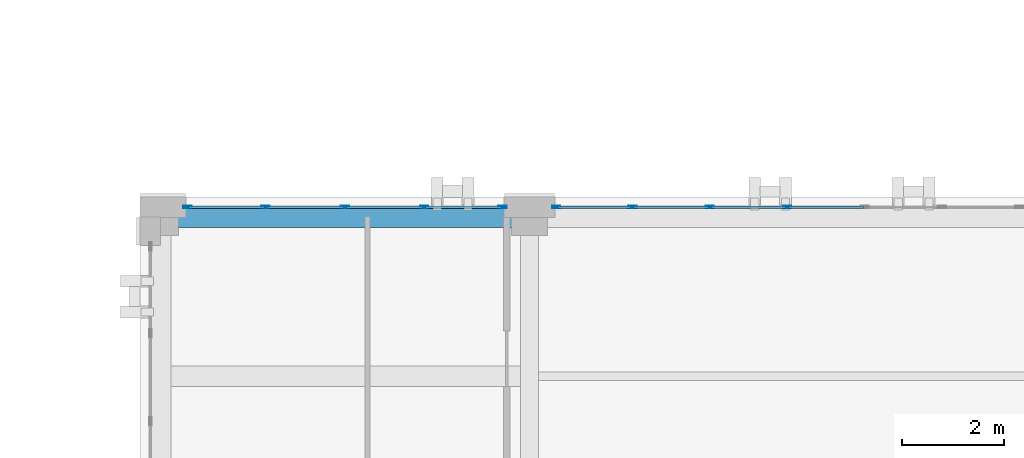
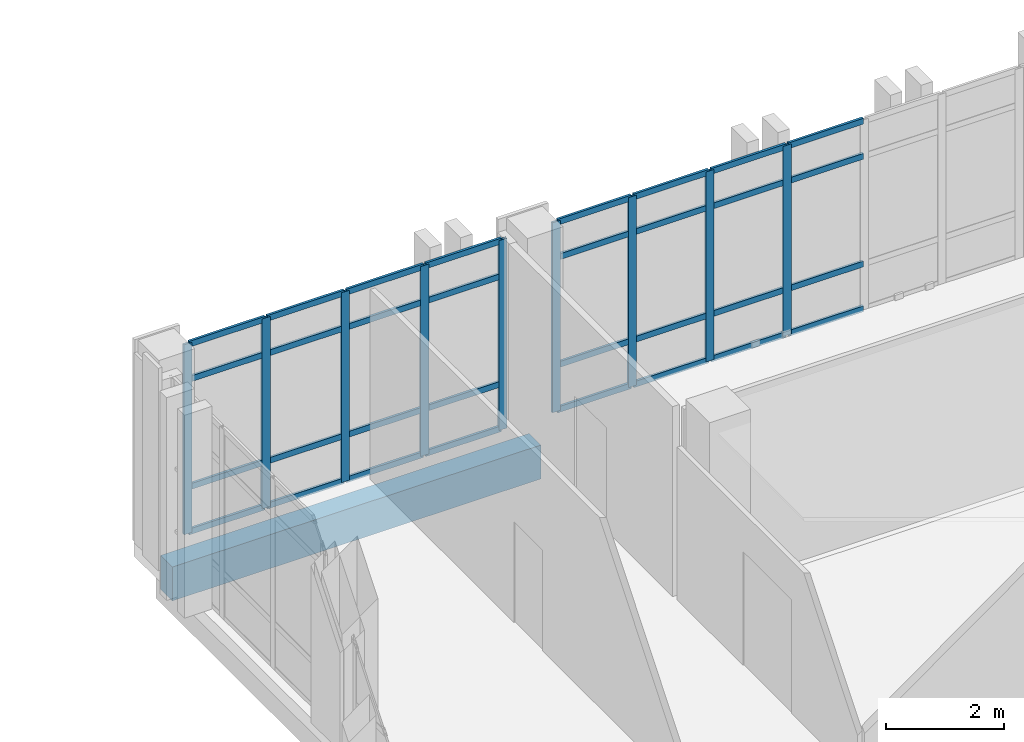
# One storey, part 102 of 158: 41 members, 1 beam, 2 elements without a shape of their own.
"""IFC4 building model written with IfcOpenShell, lengths in metres."""

from ifc_helpers import new_model, si_unit, direction, frame, origin, origin_2d, place, context, subcontext, project, spatial, rectangle, hollow_rectangle, extrude, material, layer, layer_set, material_profile, profile_set, type_object, element, aggregate, save


model = new_model("IFC4")

# Units and contexts
model_context = context("Model", 3, precision=1e-05, world=origin(), true_north=direction((0.0, 1.0)))
body_context = subcontext(model_context, "Body", "Model", "MODEL_VIEW")
ifc_project = project(units=[si_unit("LENGTHUNIT", "METRE"), si_unit("AREAUNIT", "SQUARE_METRE"), si_unit("VOLUMEUNIT", "CUBIC_METRE"), si_unit("PLANEANGLEUNIT", "RADIAN"), si_unit("MASSUNIT", "GRAM", prefix="KILO")], contexts=[model_context])

# Site, building, storey
site_placement = place(None, origin())
site = spatial("IfcSite", under=ifc_project, at=site_placement, CompositionType="ELEMENT")
building_placement = place(site_placement, origin())
building = spatial("IfcBuilding", under=site, at=building_placement, Name="Qalavern Law Courts", CompositionType="ELEMENT")
storey_placement = place(building_placement, frame((0.0, 0.0, 18.60009765625)))
storey = spatial("IfcBuildingStorey", under=building, at=storey_placement, Name="L04", CompositionType="ELEMENT", Elevation=18.60009765625)

# Curtain wall, members
ifc_material_1 = material(Name="Anodised aluminium and insulated glazing", Category="aluminium")
ifc_layer = layer(ifc_material_1, 0.159912109375)
ifc_layer_set = layer_set([ifc_layer], Name="Anodised aluminium and insulated glazing")
curtain_wall_type = type_object("IfcCurtainWallType", Name="ENV-CW-CHAMB", PredefinedType="USERDEFINED", material=ifc_layer_set)
curtain_wall_1_placement = place(storey_placement, origin())
curtain_wall_1 = element("IfcCurtainWall", 1, at=curtain_wall_1_placement, inside=storey, type_object=curtain_wall_type, Name="V4 unitised curtain wall L04 north 1", ObjectType="UNITISED CURTAIN WALL", PredefinedType="USERDEFINED")
ifc_material_2 = material(Name="Anodised aluminium", Category="aluminium")
ifc_material_profile_1 = material_profile(ifc_material_2, hollow_rectangle(XDim=0.048095703125, YDim=0.159912109375, WallThickness=0.00390625, at=origin_2d()), Name="ALU MULLION 48x160")
ifc_profile_set_1 = profile_set([ifc_material_profile_1], Name="Anodised aluminium")
member_type_1 = type_object("IfcMemberType", Name="ENV-CWM-48x160", PredefinedType="MULLION", material=ifc_profile_set_1)
member_1_placement = place(storey_placement, frame((96.833251953125, 85.60009765625, 0.0), z_axis=(0.0, 0.0, 1.0), x_axis=(0.0, -1.0, 0.0)))
member_1 = element("IfcMember", 2, at=member_1_placement, type_object=member_type_1, Name="CW-04 mullion 7", PredefinedType="MULLION", context=body_context, shape_type="SweptSolid", body=[
    extrude(hollow_rectangle(XDim=0.048095703125, YDim=0.159912109375, WallThickness=0.00390625, at=origin_2d()), origin(), (0.0, 0.0, 1.0), 3.9248046875),
])
member_2_placement = place(storey_placement, frame((95.322265625, 85.60009765625, 0.0), z_axis=(0.0, 0.0, 1.0), x_axis=(0.0, -1.0, 0.0)))
member_2 = element("IfcMember", 3, at=member_2_placement, type_object=member_type_1, Name="CW-04 mullion 8", PredefinedType="MULLION", context=body_context, shape_type="SweptSolid", body=[
    extrude(hollow_rectangle(XDim=0.048095703125, YDim=0.159912109375, WallThickness=0.00390625, at=origin_2d()), origin(), (0.0, 0.0, 1.0), 3.9248046875),
])
member_3_placement = place(storey_placement, frame((93.81103515625, 85.60009765625, 0.0), z_axis=(0.0, 0.0, 1.0), x_axis=(0.0, -1.0, 0.0)))
member_3 = element("IfcMember", 4, at=member_3_placement, type_object=member_type_1, Name="CW-04 mullion 9", PredefinedType="MULLION", context=body_context, shape_type="SweptSolid", body=[
    extrude(hollow_rectangle(XDim=0.048095703125, YDim=0.159912109375, WallThickness=0.00390625, at=origin_2d()), origin(), (0.0, 0.0, 1.0), 3.9248046875),
])
member_4_placement = place(storey_placement, frame((92.323974609375, 85.60009765625, 0.0), z_axis=(0.0, 0.0, 1.0), x_axis=(0.0, -1.0, 0.0)))
member_4 = element("IfcMember", 5, at=member_4_placement, type_object=member_type_1, Name="CW-04 mullion 10", PredefinedType="MULLION", context=body_context, shape_type="SweptSolid", body=[
    extrude(hollow_rectangle(XDim=0.048095703125, YDim=0.159912109375, WallThickness=0.00390625, at=origin_2d()), origin(), (0.0, 0.0, 1.0), 3.9248046875),
])

curtain_wall_2_placement = place(storey_placement, origin())
curtain_wall_2 = element("IfcCurtainWall", 6, at=curtain_wall_2_placement, inside=storey, type_object=curtain_wall_type, Name="V4 unitised curtain wall L04 north 2", ObjectType="UNITISED CURTAIN WALL", PredefinedType="USERDEFINED")
member_5_placement = place(storey_placement, frame((91.27587890625, 85.60009765625, 0.0), z_axis=(0.0, 0.0, 1.0), x_axis=(0.0, -1.0, 0.0)))
member_5 = element("IfcMember", 7, at=member_5_placement, type_object=member_type_1, Name="CW-04 mullion 1", PredefinedType="MULLION", context=body_context, shape_type="SweptSolid", body=[
    extrude(hollow_rectangle(XDim=0.048095703125, YDim=0.159912109375, WallThickness=0.00390625, at=origin_2d()), origin(), (0.0, 0.0, 1.0), 3.9248046875),
])
member_6_placement = place(storey_placement, frame((89.75, 85.60009765625, 0.0), z_axis=(0.0, 0.0, 1.0), x_axis=(0.0, -1.0, 0.0)))
member_6 = element("IfcMember", 8, at=member_6_placement, type_object=member_type_1, Name="CW-04 mullion 2", PredefinedType="MULLION", context=body_context, shape_type="SweptSolid", body=[
    extrude(hollow_rectangle(XDim=0.048095703125, YDim=0.159912109375, WallThickness=0.00390625, at=origin_2d()), origin(), (0.0, 0.0, 1.0), 3.9248046875),
])
member_7_placement = place(storey_placement, frame((88.199951171875, 85.60009765625, 0.0), z_axis=(0.0, 0.0, 1.0), x_axis=(0.0, -1.0, 0.0)))
member_7 = element("IfcMember", 9, at=member_7_placement, type_object=member_type_1, Name="CW-04 mullion 3", PredefinedType="MULLION", context=body_context, shape_type="SweptSolid", body=[
    extrude(hollow_rectangle(XDim=0.048095703125, YDim=0.159912109375, WallThickness=0.00390625, at=origin_2d()), origin(), (0.0, 0.0, 1.0), 3.9248046875),
])
member_8_placement = place(storey_placement, frame((86.64990234375, 85.60009765625, 0.0), z_axis=(0.0, 0.0, 1.0), x_axis=(0.0, -1.0, 0.0)))
member_8 = element("IfcMember", 10, at=member_8_placement, type_object=member_type_1, Name="CW-04 mullion 4", PredefinedType="MULLION", context=body_context, shape_type="SweptSolid", body=[
    extrude(hollow_rectangle(XDim=0.048095703125, YDim=0.159912109375, WallThickness=0.00390625, at=origin_2d()), origin(), (0.0, 0.0, 1.0), 3.9248046875),
])
member_9_placement = place(storey_placement, frame((85.1240234375, 85.60009765625, 0.0), z_axis=(0.0, 0.0, 1.0), x_axis=(0.0, -1.0, 0.0)))
member_9 = element("IfcMember", 11, at=member_9_placement, type_object=member_type_1, Name="CW-04 mullion 5", PredefinedType="MULLION", context=body_context, shape_type="SweptSolid", body=[
    extrude(hollow_rectangle(XDim=0.048095703125, YDim=0.159912109375, WallThickness=0.00390625, at=origin_2d()), origin(), (0.0, 0.0, 1.0), 3.9248046875),
])

# Member
ifc_material_profile_2 = material_profile(ifc_material_2, hollow_rectangle(XDim=0.048095703125, YDim=0.1201171875, WallThickness=0.00390625, at=origin_2d()), Name="ALU TRANSOM 48x120")
ifc_profile_set_2 = profile_set([ifc_material_profile_2], Name="Anodised aluminium")
member_type_2 = type_object("IfcMemberType", Name="ENV-CWT-48x120", PredefinedType="USERDEFINED", material=ifc_profile_set_2)
member_10_placement = place(storey_placement, frame((98.320556640625, 85.60009765625, 0.02392578125), z_axis=(-1.0, 0.0, 0.0), x_axis=(0.0, -1.0, 0.0)))
member_10 = element("IfcMember", 12, at=member_10_placement, type_object=member_type_2, Name="CW-04 transom 6.1", ObjectType="TRANSOM", PredefinedType="USERDEFINED", context=body_context, shape_type="SweptSolid", body=[
    extrude(hollow_rectangle(XDim=0.048095703125, YDim=0.1201171875, WallThickness=0.00390625, at=origin_2d()), origin(), (0.0, 0.0, 1.0), 1.463134765625),
])

member_11_placement = place(storey_placement, frame((98.320556640625, 85.60009765625, 0.949951171875), z_axis=(-1.0, 0.0, 0.0), x_axis=(0.0, -1.0, 0.0)))
member_11 = element("IfcMember", 13, at=member_11_placement, type_object=member_type_2, Name="CW-04 transom 6.2", ObjectType="TRANSOM", PredefinedType="USERDEFINED", context=body_context, shape_type="SweptSolid", body=[
    extrude(hollow_rectangle(XDim=0.048095703125, YDim=0.1201171875, WallThickness=0.00390625, at=origin_2d()), origin(), (0.0, 0.0, 1.0), 1.463134765625),
])

member_12_placement = place(storey_placement, frame((98.320556640625, 85.60009765625, 3.1748046875), z_axis=(-1.0, 0.0, 0.0), x_axis=(0.0, -1.0, 0.0)))
member_12 = element("IfcMember", 14, at=member_12_placement, type_object=member_type_2, Name="CW-04 transom 6.3", ObjectType="TRANSOM", PredefinedType="USERDEFINED", context=body_context, shape_type="SweptSolid", body=[
    extrude(hollow_rectangle(XDim=0.048095703125, YDim=0.1201171875, WallThickness=0.00390625, at=origin_2d()), origin(), (0.0, 0.0, 1.0), 1.463134765625),
])

member_13_placement = place(storey_placement, frame((98.320556640625, 85.60009765625, 3.90087890625), z_axis=(-1.0, 0.0, 0.0), x_axis=(0.0, -1.0, 0.0)))
member_13 = element("IfcMember", 15, at=member_13_placement, type_object=member_type_2, Name="CW-04 transom 6.4", ObjectType="TRANSOM", PredefinedType="USERDEFINED", context=body_context, shape_type="SweptSolid", body=[
    extrude(hollow_rectangle(XDim=0.048095703125, YDim=0.1201171875, WallThickness=0.00390625, at=origin_2d()), origin(), (0.0, 0.0, 1.0), 1.463134765625),
])

member_14_placement = place(storey_placement, frame((96.809326171875, 85.60009765625, 0.02392578125), z_axis=(-1.0, 0.0, 0.0), x_axis=(0.0, -1.0, 0.0)))
member_14 = element("IfcMember", 16, at=member_14_placement, type_object=member_type_2, Name="CW-04 transom 7.1", ObjectType="TRANSOM", PredefinedType="USERDEFINED", context=body_context, shape_type="SweptSolid", body=[
    extrude(hollow_rectangle(XDim=0.048095703125, YDim=0.1201171875, WallThickness=0.00390625, at=origin_2d()), origin(), (0.0, 0.0, 1.0), 1.463134765625),
])

member_15_placement = place(storey_placement, frame((96.809326171875, 85.60009765625, 0.949951171875), z_axis=(-1.0, 0.0, 0.0), x_axis=(0.0, -1.0, 0.0)))
member_15 = element("IfcMember", 17, at=member_15_placement, type_object=member_type_2, Name="CW-04 transom 7.2", ObjectType="TRANSOM", PredefinedType="USERDEFINED", context=body_context, shape_type="SweptSolid", body=[
    extrude(hollow_rectangle(XDim=0.048095703125, YDim=0.1201171875, WallThickness=0.00390625, at=origin_2d()), origin(), (0.0, 0.0, 1.0), 1.463134765625),
])

member_16_placement = place(storey_placement, frame((96.809326171875, 85.60009765625, 3.1748046875), z_axis=(-1.0, 0.0, 0.0), x_axis=(0.0, -1.0, 0.0)))
member_16 = element("IfcMember", 18, at=member_16_placement, type_object=member_type_2, Name="CW-04 transom 7.3", ObjectType="TRANSOM", PredefinedType="USERDEFINED", context=body_context, shape_type="SweptSolid", body=[
    extrude(hollow_rectangle(XDim=0.048095703125, YDim=0.1201171875, WallThickness=0.00390625, at=origin_2d()), origin(), (0.0, 0.0, 1.0), 1.463134765625),
])

member_17_placement = place(storey_placement, frame((96.809326171875, 85.60009765625, 3.90087890625), z_axis=(-1.0, 0.0, 0.0), x_axis=(0.0, -1.0, 0.0)))
member_17 = element("IfcMember", 19, at=member_17_placement, type_object=member_type_2, Name="CW-04 transom 7.4", ObjectType="TRANSOM", PredefinedType="USERDEFINED", context=body_context, shape_type="SweptSolid", body=[
    extrude(hollow_rectangle(XDim=0.048095703125, YDim=0.1201171875, WallThickness=0.00390625, at=origin_2d()), origin(), (0.0, 0.0, 1.0), 1.463134765625),
])

member_18_placement = place(storey_placement, frame((95.29833984375, 85.60009765625, 0.02392578125), z_axis=(-1.0, 0.0, 0.0), x_axis=(0.0, -1.0, 0.0)))
member_18 = element("IfcMember", 20, at=member_18_placement, type_object=member_type_2, Name="CW-04 transom 8.1", ObjectType="TRANSOM", PredefinedType="USERDEFINED", context=body_context, shape_type="SweptSolid", body=[
    extrude(hollow_rectangle(XDim=0.048095703125, YDim=0.1201171875, WallThickness=0.00390625, at=origin_2d()), origin(), (0.0, 0.0, 1.0), 1.463134765625),
])

member_19_placement = place(storey_placement, frame((95.29833984375, 85.60009765625, 0.949951171875), z_axis=(-1.0, 0.0, 0.0), x_axis=(0.0, -1.0, 0.0)))
member_19 = element("IfcMember", 21, at=member_19_placement, type_object=member_type_2, Name="CW-04 transom 8.2", ObjectType="TRANSOM", PredefinedType="USERDEFINED", context=body_context, shape_type="SweptSolid", body=[
    extrude(hollow_rectangle(XDim=0.048095703125, YDim=0.1201171875, WallThickness=0.00390625, at=origin_2d()), origin(), (0.0, 0.0, 1.0), 1.463134765625),
])

member_20_placement = place(storey_placement, frame((95.29833984375, 85.60009765625, 3.1748046875), z_axis=(-1.0, 0.0, 0.0), x_axis=(0.0, -1.0, 0.0)))
member_20 = element("IfcMember", 22, at=member_20_placement, type_object=member_type_2, Name="CW-04 transom 8.3", ObjectType="TRANSOM", PredefinedType="USERDEFINED", context=body_context, shape_type="SweptSolid", body=[
    extrude(hollow_rectangle(XDim=0.048095703125, YDim=0.1201171875, WallThickness=0.00390625, at=origin_2d()), origin(), (0.0, 0.0, 1.0), 1.463134765625),
])

member_21_placement = place(storey_placement, frame((95.29833984375, 85.60009765625, 3.90087890625), z_axis=(-1.0, 0.0, 0.0), x_axis=(0.0, -1.0, 0.0)))
member_21 = element("IfcMember", 23, at=member_21_placement, type_object=member_type_2, Name="CW-04 transom 8.4", ObjectType="TRANSOM", PredefinedType="USERDEFINED", context=body_context, shape_type="SweptSolid", body=[
    extrude(hollow_rectangle(XDim=0.048095703125, YDim=0.1201171875, WallThickness=0.00390625, at=origin_2d()), origin(), (0.0, 0.0, 1.0), 1.463134765625),
])

member_22_placement = place(storey_placement, frame((93.787109375, 85.60009765625, 0.02392578125), z_axis=(-1.0, 0.0, 0.0), x_axis=(0.0, -1.0, 0.0)))
member_22 = element("IfcMember", 24, at=member_22_placement, type_object=member_type_2, Name="CW-04 transom 9.1", ObjectType="TRANSOM", PredefinedType="USERDEFINED", context=body_context, shape_type="SweptSolid", body=[
    extrude(hollow_rectangle(XDim=0.048095703125, YDim=0.1201171875, WallThickness=0.00390625, at=origin_2d()), origin(), (0.0, 0.0, 1.0), 1.439208984375),
])

member_23_placement = place(storey_placement, frame((93.787109375, 85.60009765625, 0.949951171875), z_axis=(-1.0, 0.0, 0.0), x_axis=(0.0, -1.0, 0.0)))
member_23 = element("IfcMember", 25, at=member_23_placement, type_object=member_type_2, Name="CW-04 transom 9.2", ObjectType="TRANSOM", PredefinedType="USERDEFINED", context=body_context, shape_type="SweptSolid", body=[
    extrude(hollow_rectangle(XDim=0.048095703125, YDim=0.1201171875, WallThickness=0.00390625, at=origin_2d()), origin(), (0.0, 0.0, 1.0), 1.439208984375),
])

member_24_placement = place(storey_placement, frame((93.787109375, 85.60009765625, 3.1748046875), z_axis=(-1.0, 0.0, 0.0), x_axis=(0.0, -1.0, 0.0)))
member_24 = element("IfcMember", 26, at=member_24_placement, type_object=member_type_2, Name="CW-04 transom 9.3", ObjectType="TRANSOM", PredefinedType="USERDEFINED", context=body_context, shape_type="SweptSolid", body=[
    extrude(hollow_rectangle(XDim=0.048095703125, YDim=0.1201171875, WallThickness=0.00390625, at=origin_2d()), origin(), (0.0, 0.0, 1.0), 1.439208984375),
])

member_25_placement = place(storey_placement, frame((93.787109375, 85.60009765625, 3.90087890625), z_axis=(-1.0, 0.0, 0.0), x_axis=(0.0, -1.0, 0.0)))
member_25 = element("IfcMember", 27, at=member_25_placement, type_object=member_type_2, Name="CW-04 transom 9.4", ObjectType="TRANSOM", PredefinedType="USERDEFINED", context=body_context, shape_type="SweptSolid", body=[
    extrude(hollow_rectangle(XDim=0.048095703125, YDim=0.1201171875, WallThickness=0.00390625, at=origin_2d()), origin(), (0.0, 0.0, 1.0), 1.439208984375),
])

aggregate(curtain_wall_1, [member_1, member_2, member_3, member_4, member_10, member_11, member_12, member_13, member_14, member_15, member_16, member_17, member_18, member_19, member_20, member_21, member_22, member_23, member_24, member_25])

member_26_placement = place(storey_placement, frame((91.251953125, 85.60009765625, 0.02392578125), z_axis=(-1.0, 0.0, 0.0), x_axis=(0.0, -1.0, 0.0)))
member_26 = element("IfcMember", 28, at=member_26_placement, type_object=member_type_2, Name="CW-04 transom 1.1", ObjectType="TRANSOM", PredefinedType="USERDEFINED", context=body_context, shape_type="SweptSolid", body=[
    extrude(hollow_rectangle(XDim=0.048095703125, YDim=0.1201171875, WallThickness=0.00390625, at=origin_2d()), origin(), (0.0, 0.0, 1.0), 1.47802734375),
])

member_27_placement = place(storey_placement, frame((91.251953125, 85.60009765625, 0.949951171875), z_axis=(-1.0, 0.0, 0.0), x_axis=(0.0, -1.0, 0.0)))
member_27 = element("IfcMember", 29, at=member_27_placement, type_object=member_type_2, Name="CW-04 transom 1.2", ObjectType="TRANSOM", PredefinedType="USERDEFINED", context=body_context, shape_type="SweptSolid", body=[
    extrude(hollow_rectangle(XDim=0.048095703125, YDim=0.1201171875, WallThickness=0.00390625, at=origin_2d()), origin(), (0.0, 0.0, 1.0), 1.47802734375),
])

member_28_placement = place(storey_placement, frame((91.251953125, 85.60009765625, 3.1748046875), z_axis=(-1.0, 0.0, 0.0), x_axis=(0.0, -1.0, 0.0)))
member_28 = element("IfcMember", 30, at=member_28_placement, type_object=member_type_2, Name="CW-04 transom 1.3", ObjectType="TRANSOM", PredefinedType="USERDEFINED", context=body_context, shape_type="SweptSolid", body=[
    extrude(hollow_rectangle(XDim=0.048095703125, YDim=0.1201171875, WallThickness=0.00390625, at=origin_2d()), origin(), (0.0, 0.0, 1.0), 1.47802734375),
])

member_29_placement = place(storey_placement, frame((91.251953125, 85.60009765625, 3.90087890625), z_axis=(-1.0, 0.0, 0.0), x_axis=(0.0, -1.0, 0.0)))
member_29 = element("IfcMember", 31, at=member_29_placement, type_object=member_type_2, Name="CW-04 transom 1.4", ObjectType="TRANSOM", PredefinedType="USERDEFINED", context=body_context, shape_type="SweptSolid", body=[
    extrude(hollow_rectangle(XDim=0.048095703125, YDim=0.1201171875, WallThickness=0.00390625, at=origin_2d()), origin(), (0.0, 0.0, 1.0), 1.47802734375),
])

member_30_placement = place(storey_placement, frame((89.72607421875, 85.60009765625, 0.02392578125), z_axis=(-1.0, 0.0, 0.0), x_axis=(0.0, -1.0, 0.0)))
member_30 = element("IfcMember", 32, at=member_30_placement, type_object=member_type_2, Name="CW-04 transom 2.1", ObjectType="TRANSOM", PredefinedType="USERDEFINED", context=body_context, shape_type="SweptSolid", body=[
    extrude(hollow_rectangle(XDim=0.048095703125, YDim=0.1201171875, WallThickness=0.00390625, at=origin_2d()), origin(), (0.0, 0.0, 1.0), 1.501953125),
])

member_31_placement = place(storey_placement, frame((89.72607421875, 85.60009765625, 0.949951171875), z_axis=(-1.0, 0.0, 0.0), x_axis=(0.0, -1.0, 0.0)))
member_31 = element("IfcMember", 33, at=member_31_placement, type_object=member_type_2, Name="CW-04 transom 2.2", ObjectType="TRANSOM", PredefinedType="USERDEFINED", context=body_context, shape_type="SweptSolid", body=[
    extrude(hollow_rectangle(XDim=0.048095703125, YDim=0.1201171875, WallThickness=0.00390625, at=origin_2d()), origin(), (0.0, 0.0, 1.0), 1.501953125),
])

member_32_placement = place(storey_placement, frame((89.72607421875, 85.60009765625, 3.1748046875), z_axis=(-1.0, 0.0, 0.0), x_axis=(0.0, -1.0, 0.0)))
member_32 = element("IfcMember", 34, at=member_32_placement, type_object=member_type_2, Name="CW-04 transom 2.3", ObjectType="TRANSOM", PredefinedType="USERDEFINED", context=body_context, shape_type="SweptSolid", body=[
    extrude(hollow_rectangle(XDim=0.048095703125, YDim=0.1201171875, WallThickness=0.00390625, at=origin_2d()), origin(), (0.0, 0.0, 1.0), 1.501953125),
])

member_33_placement = place(storey_placement, frame((89.72607421875, 85.60009765625, 3.90087890625), z_axis=(-1.0, 0.0, 0.0), x_axis=(0.0, -1.0, 0.0)))
member_33 = element("IfcMember", 35, at=member_33_placement, type_object=member_type_2, Name="CW-04 transom 2.4", ObjectType="TRANSOM", PredefinedType="USERDEFINED", context=body_context, shape_type="SweptSolid", body=[
    extrude(hollow_rectangle(XDim=0.048095703125, YDim=0.1201171875, WallThickness=0.00390625, at=origin_2d()), origin(), (0.0, 0.0, 1.0), 1.501953125),
])

member_34_placement = place(storey_placement, frame((88.176025390625, 85.60009765625, 0.02392578125), z_axis=(-1.0, 0.0, 0.0), x_axis=(0.0, -1.0, 0.0)))
member_34 = element("IfcMember", 36, at=member_34_placement, type_object=member_type_2, Name="CW-04 transom 3.1", ObjectType="TRANSOM", PredefinedType="USERDEFINED", context=body_context, shape_type="SweptSolid", body=[
    extrude(hollow_rectangle(XDim=0.048095703125, YDim=0.1201171875, WallThickness=0.00390625, at=origin_2d()), origin(), (0.0, 0.0, 1.0), 1.501953125),
])

member_35_placement = place(storey_placement, frame((88.176025390625, 85.60009765625, 0.949951171875), z_axis=(-1.0, 0.0, 0.0), x_axis=(0.0, -1.0, 0.0)))
member_35 = element("IfcMember", 37, at=member_35_placement, type_object=member_type_2, Name="CW-04 transom 3.2", ObjectType="TRANSOM", PredefinedType="USERDEFINED", context=body_context, shape_type="SweptSolid", body=[
    extrude(hollow_rectangle(XDim=0.048095703125, YDim=0.1201171875, WallThickness=0.00390625, at=origin_2d()), origin(), (0.0, 0.0, 1.0), 1.501953125),
])

member_36_placement = place(storey_placement, frame((88.176025390625, 85.60009765625, 3.1748046875), z_axis=(-1.0, 0.0, 0.0), x_axis=(0.0, -1.0, 0.0)))
member_36 = element("IfcMember", 38, at=member_36_placement, type_object=member_type_2, Name="CW-04 transom 3.3", ObjectType="TRANSOM", PredefinedType="USERDEFINED", context=body_context, shape_type="SweptSolid", body=[
    extrude(hollow_rectangle(XDim=0.048095703125, YDim=0.1201171875, WallThickness=0.00390625, at=origin_2d()), origin(), (0.0, 0.0, 1.0), 1.501953125),
])

member_37_placement = place(storey_placement, frame((88.176025390625, 85.60009765625, 3.90087890625), z_axis=(-1.0, 0.0, 0.0), x_axis=(0.0, -1.0, 0.0)))
member_37 = element("IfcMember", 39, at=member_37_placement, type_object=member_type_2, Name="CW-04 transom 3.4", ObjectType="TRANSOM", PredefinedType="USERDEFINED", context=body_context, shape_type="SweptSolid", body=[
    extrude(hollow_rectangle(XDim=0.048095703125, YDim=0.1201171875, WallThickness=0.00390625, at=origin_2d()), origin(), (0.0, 0.0, 1.0), 1.501953125),
])

member_38_placement = place(storey_placement, frame((86.6259765625, 85.60009765625, 0.02392578125), z_axis=(-1.0, 0.0, 0.0), x_axis=(0.0, -1.0, 0.0)))
member_38 = element("IfcMember", 40, at=member_38_placement, type_object=member_type_2, Name="CW-04 transom 4.1", ObjectType="TRANSOM", PredefinedType="USERDEFINED", context=body_context, shape_type="SweptSolid", body=[
    extrude(hollow_rectangle(XDim=0.048095703125, YDim=0.1201171875, WallThickness=0.00390625, at=origin_2d()), origin(), (0.0, 0.0, 1.0), 1.47802734375),
])

member_39_placement = place(storey_placement, frame((86.6259765625, 85.60009765625, 0.949951171875), z_axis=(-1.0, 0.0, 0.0), x_axis=(0.0, -1.0, 0.0)))
member_39 = element("IfcMember", 41, at=member_39_placement, type_object=member_type_2, Name="CW-04 transom 4.2", ObjectType="TRANSOM", PredefinedType="USERDEFINED", context=body_context, shape_type="SweptSolid", body=[
    extrude(hollow_rectangle(XDim=0.048095703125, YDim=0.1201171875, WallThickness=0.00390625, at=origin_2d()), origin(), (0.0, 0.0, 1.0), 1.47802734375),
])

member_40_placement = place(storey_placement, frame((86.6259765625, 85.60009765625, 3.1748046875), z_axis=(-1.0, 0.0, 0.0), x_axis=(0.0, -1.0, 0.0)))
member_40 = element("IfcMember", 42, at=member_40_placement, type_object=member_type_2, Name="CW-04 transom 4.3", ObjectType="TRANSOM", PredefinedType="USERDEFINED", context=body_context, shape_type="SweptSolid", body=[
    extrude(hollow_rectangle(XDim=0.048095703125, YDim=0.1201171875, WallThickness=0.00390625, at=origin_2d()), origin(), (0.0, 0.0, 1.0), 1.47802734375),
])

member_41_placement = place(storey_placement, frame((86.6259765625, 85.60009765625, 3.90087890625), z_axis=(-1.0, 0.0, 0.0), x_axis=(0.0, -1.0, 0.0)))
member_41 = element("IfcMember", 43, at=member_41_placement, type_object=member_type_2, Name="CW-04 transom 4.4", ObjectType="TRANSOM", PredefinedType="USERDEFINED", context=body_context, shape_type="SweptSolid", body=[
    extrude(hollow_rectangle(XDim=0.048095703125, YDim=0.1201171875, WallThickness=0.00390625, at=origin_2d()), origin(), (0.0, 0.0, 1.0), 1.47802734375),
])

aggregate(curtain_wall_2, [member_5, member_6, member_7, member_8, member_9, member_26, member_27, member_28, member_29, member_30, member_31, member_32, member_33, member_34, member_35, member_36, member_37, member_38, member_39, member_40, member_41])

# Beam
ifc_material_3 = material(Name="Concrete C40/50", Category="concrete")
ifc_material_profile_3 = material_profile(ifc_material_3, rectangle(XDim=0.39990234375, YDim=0.699951171875, at=origin_2d()), Name="RC 400x700")
ifc_profile_set_3 = profile_set([ifc_material_profile_3], Name="Concrete C40/50")
beam_type = type_object("IfcBeamType", Name="STR-SP-RC400x700", PredefinedType="SPANDREL", material=ifc_profile_set_3)
beam_placement = place(storey_placement, frame((84.60009765625, 85.39990234375, -0.630126953125), z_axis=(1.0, 0.0, 0.0), x_axis=(0.0, 1.0, 0.0)))
element("IfcBeam", 44, at=beam_placement, inside=storey, type_object=beam_type, Name="V4 X-beam 7-1 L04", PredefinedType="SPANDREL", context=body_context, shape_type="SweptSolid", body=[
    extrude(rectangle(XDim=0.39990234375, YDim=0.699951171875, at=origin_2d()), origin(), (0.0, 0.0, 1.0), 7.199951171875),
])

save(model, "model.ifc")
